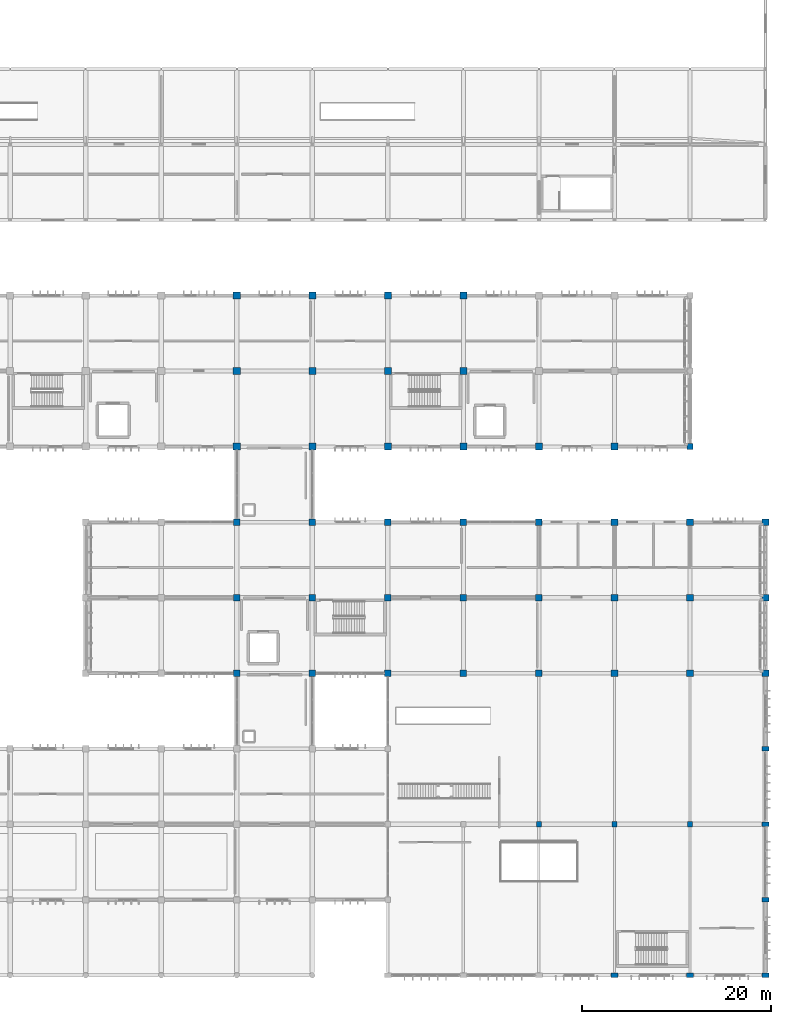
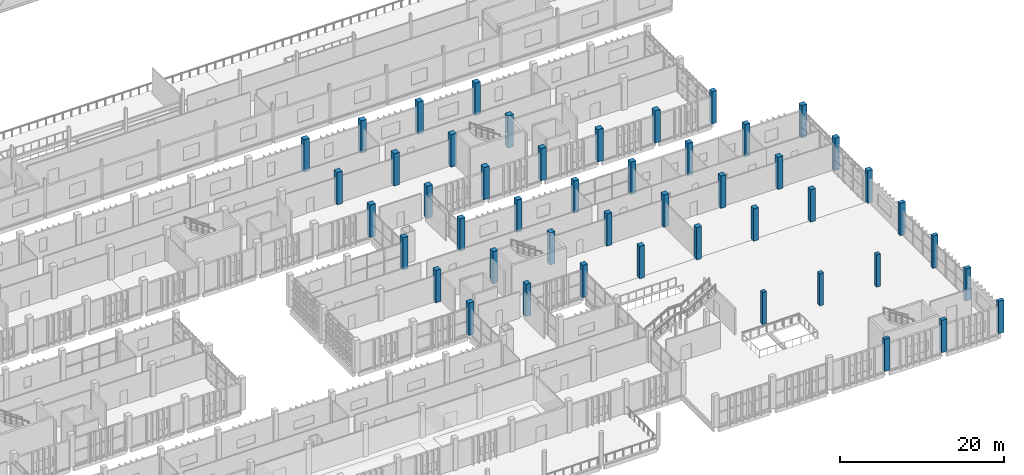
# One storey, part 13 of 106: 48 columns.
"""IFC4 building model written with IfcOpenShell, lengths in metres."""

from ifc_helpers import new_model, si_unit, direction, frame, origin, origin_2d, place, context, subcontext, project, spatial, rectangle, extrude, material, material_profile, profile_set, type_object, element, save


model = new_model("IFC4")

# Units and contexts
model_context = context("Model", 3, precision=1e-05, world=origin(), true_north=direction((0.0, 1.0)))
body_context = subcontext(model_context, "Body", "Model", "MODEL_VIEW")
ifc_project = project(units=[si_unit("LENGTHUNIT", "METRE"), si_unit("AREAUNIT", "SQUARE_METRE"), si_unit("VOLUMEUNIT", "CUBIC_METRE"), si_unit("PLANEANGLEUNIT", "RADIAN"), si_unit("MASSUNIT", "GRAM", prefix="KILO")], contexts=[model_context])

# Site, building, storey
site_placement = place(None, origin())
site = spatial("IfcSite", under=ifc_project, at=site_placement, CompositionType="ELEMENT")
building_placement = place(site_placement, origin())
building = spatial("IfcBuilding", under=site, at=building_placement, Name="Jelvoka-Kovrelna Polytechnic", CompositionType="ELEMENT")
storey_placement = place(building_placement, frame((0.0, 0.0, 4.800048828125)))
storey = spatial("IfcBuildingStorey", under=building, at=storey_placement, Name="L02", CompositionType="ELEMENT", Elevation=4.800048828125)

# Columns
ifc_material_1 = material(Name="Concrete C40/50", Category="concrete")
ifc_material_profile_1 = material_profile(ifc_material_1, rectangle(XDim=0.5, YDim=0.75, at=origin_2d()), Name="RC 500x750")
ifc_profile_set_1 = profile_set([ifc_material_profile_1], Name="Concrete C40/50")
column_type_1 = type_object("IfcColumnType", Name="Col_RC_500x750", PredefinedType="COLUMN", material=ifc_profile_set_1)
for number, where, z_axis, x_axis, name in (
    (1, (184.0, 0.0, 0.0), (0.0, 0.0, 1.0), (0.0, 1.0, 0.0), "L02 column 0074"),
    (2, (192.0, 0.0, 0.0), (0.0, 0.0, 1.0), (0.0, 1.0, 0.0), "L02 column 0078"),
    (3, (200.0, 0.0, 0.0), (0.0, 0.0, 1.0), (0.0, 1.0, 0.0), "L02 column 0082"),
    (4, (200.0, 8.0, 0.0), (0.0, 0.0, 1.0), (0.0, 1.0, 0.0), "L02 column 0180"),
    (5, (200.0, 16.0, 0.0), (0.0, 0.0, 1.0), (0.0, 1.0, 0.0), "L02 column 0293"),
    (6, (200.0, 24.0, 0.0), (0.0, 0.0, 1.0), (0.0, 1.0, 0.0), "L02 column 0406"),
):
    element("IfcColumn", number, at=place(storey_placement, frame(where, z_axis=z_axis, x_axis=x_axis)), inside=storey, type_object=column_type_1, Name=name, PredefinedType="COLUMN", context=body_context, shape_type="SweptSolid", body=[
        extrude(rectangle(XDim=0.5, YDim=0.75, at=origin_2d()), origin(), (0.0, 0.0, 1.0), 4.800048828125),
    ])
ifc_material_2 = material(Name="Concrete C40/50", Category="concrete")
ifc_material_profile_2 = material_profile(ifc_material_2, rectangle(XDim=0.550048828125, YDim=0.550048828125, at=origin_2d()), Name="RC 550x550")
ifc_profile_set_2 = profile_set([ifc_material_profile_2], Name="Concrete C40/50")
column_type_2 = type_object("IfcColumnType", Name="Col_RC_550", PredefinedType="COLUMN", material=ifc_profile_set_2)
for number, where, z_axis, x_axis, name in (
    (7, (176.0, 16.0, 0.0), (0.0, 0.0, 1.0), (1.0, 0.0, 0.0), "L02 column 0281"),
    (8, (184.0, 16.0, 0.0), (0.0, 0.0, 1.0), (1.0, 0.0, 0.0), "L02 column 0285"),
    (9, (192.0, 16.0, 0.0), (0.0, 0.0, 1.0), (1.0, 0.0, 0.0), "L02 column 0289"),
):
    element("IfcColumn", number, at=place(storey_placement, frame(where, z_axis=z_axis, x_axis=x_axis)), inside=storey, type_object=column_type_2, Name=name, PredefinedType="COLUMN", context=body_context, shape_type="SweptSolid", body=[
        extrude(rectangle(XDim=0.550048828125, YDim=0.550048828125, at=origin_2d()), origin(), (0.0, 0.0, 1.0), 4.800048828125),
    ])
ifc_material_3 = material(Name="Concrete C40/50", Category="concrete")
ifc_material_profile_3 = material_profile(ifc_material_3, rectangle(XDim=0.64990234375, YDim=0.64990234375, at=origin_2d()), Name="RC 650x650")
ifc_profile_set_3 = profile_set([ifc_material_profile_3], Name="Concrete C40/50")
column_type_3 = type_object("IfcColumnType", Name="Col_RC_650", PredefinedType="COLUMN", material=ifc_profile_set_3)
column_placement = place(storey_placement, frame((192.0, 56.0, 0.0), z_axis=(0.0, 0.0, 1.0), x_axis=(1.0, 0.0, 0.0)))
element("IfcColumn", 10, at=column_placement, inside=storey, type_object=column_type_3, Name="L02 column 1129", PredefinedType="COLUMN", context=body_context, shape_type="SweptSolid", body=[
    extrude(rectangle(XDim=0.64990234375, YDim=0.64990234375, at=origin_2d()), origin(), (0.0, 0.0, 1.0), 4.800048828125),
])
ifc_material_4 = material(Name="Concrete C40/50", Category="concrete")
ifc_material_profile_4 = material_profile(ifc_material_4, rectangle(XDim=0.699951171875, YDim=0.699951171875, at=origin_2d()), Name="RC 700x700")
ifc_profile_set_4 = profile_set([ifc_material_profile_4], Name="Concrete C40/50")
column_type_4 = type_object("IfcColumnType", Name="Col_RC_700", PredefinedType="COLUMN", material=ifc_profile_set_4)
for number, where, z_axis, x_axis, name in (
    (11, (144.0, 32.0, 0.0), (0.0, 0.0, 1.0), (1.0, 0.0, 0.0), "L02 column 0512"),
    (12, (152.0, 32.0, 0.0), (0.0, 0.0, 1.0), (1.0, 0.0, 0.0), "L02 column 0520"),
    (13, (160.0, 32.0, 0.0), (0.0, 0.0, 1.0), (1.0, 0.0, 0.0), "L02 column 0528"),
    (14, (168.0, 32.0, 0.0), (0.0, 0.0, 1.0), (1.0, 0.0, 0.0), "L02 column 0536"),
    (15, (176.0, 32.0, 0.0), (0.0, 0.0, 1.0), (1.0, 0.0, 0.0), "L02 column 0544"),
    (16, (184.0, 32.0, 0.0), (0.0, 0.0, 1.0), (1.0, 0.0, 0.0), "L02 column 0552"),
    (17, (192.0, 32.0, 0.0), (0.0, 0.0, 1.0), (1.0, 0.0, 0.0), "L02 column 0560"),
    (18, (200.0, 32.0, 0.0), (0.0, 0.0, 1.0), (1.0, 0.0, 0.0), "L02 column 0567"),
    (19, (144.0, 40.0, 0.0), (0.0, 0.0, 1.0), (1.0, 0.0, 0.0), "L02 column 0694"),
    (20, (152.0, 40.0, 0.0), (0.0, 0.0, 1.0), (1.0, 0.0, 0.0), "L02 column 0702"),
    (21, (160.0, 40.0, 0.0), (0.0, 0.0, 1.0), (1.0, 0.0, 0.0), "L02 column 0710"),
    (22, (168.0, 40.0, 0.0), (0.0, 0.0, 1.0), (1.0, 0.0, 0.0), "L02 column 0718"),
    (23, (176.0, 40.0, 0.0), (0.0, 0.0, 1.0), (1.0, 0.0, 0.0), "L02 column 0726"),
    (24, (184.0, 40.0, 0.0), (0.0, 0.0, 1.0), (1.0, 0.0, 0.0), "L02 column 0734"),
    (25, (192.0, 40.0, 0.0), (0.0, 0.0, 1.0), (1.0, 0.0, 0.0), "L02 column 0742"),
    (26, (200.0, 40.0, 0.0), (0.0, 0.0, 1.0), (1.0, 0.0, 0.0), "L02 column 0749"),
    (27, (144.0, 48.0, 0.0), (0.0, 0.0, 1.0), (1.0, 0.0, 0.0), "L02 column 0858"),
    (28, (152.0, 48.0, 0.0), (0.0, 0.0, 1.0), (1.0, 0.0, 0.0), "L02 column 0866"),
    (29, (160.0, 48.0, 0.0), (0.0, 0.0, 1.0), (1.0, 0.0, 0.0), "L02 column 0874"),
    (30, (168.0, 48.0, 0.0), (0.0, 0.0, 1.0), (1.0, 0.0, 0.0), "L02 column 0882"),
    (31, (176.0, 48.0, 0.0), (0.0, 0.0, 1.0), (1.0, 0.0, 0.0), "L02 column 0890"),
    (32, (184.0, 48.0, 0.0), (0.0, 0.0, 1.0), (1.0, 0.0, 0.0), "L02 column 0898"),
    (33, (192.0, 48.0, 0.0), (0.0, 0.0, 1.0), (1.0, 0.0, 0.0), "L02 column 0906"),
    (34, (200.0, 48.0, 0.0), (0.0, 0.0, 1.0), (1.0, 0.0, 0.0), "L02 column 0913"),
):
    element("IfcColumn", number, at=place(storey_placement, frame(where, z_axis=z_axis, x_axis=x_axis)), inside=storey, type_object=column_type_4, Name=name, PredefinedType="COLUMN", context=body_context, shape_type="SweptSolid", body=[
        extrude(rectangle(XDim=0.699951171875, YDim=0.699951171875, at=origin_2d()), origin(), (0.0, 0.0, 1.0), 4.800048828125),
    ])
ifc_material_5 = material(Name="Concrete C40/50", Category="concrete")
ifc_material_profile_5 = material_profile(ifc_material_5, rectangle(XDim=0.75, YDim=0.75, at=origin_2d()), Name="RC 750x750")
ifc_profile_set_5 = profile_set([ifc_material_profile_5], Name="Concrete C40/50")
column_type_5 = type_object("IfcColumnType", Name="Col_RC_750", PredefinedType="COLUMN", material=ifc_profile_set_5)
for number, where, z_axis, x_axis, name in (
    (35, (144.0, 56.0, 0.0), (0.0, 0.0, 1.0), (1.0, 0.0, 0.0), "L02 column 1075"),
    (36, (152.0, 56.0, 0.0), (0.0, 0.0, 1.0), (1.0, 0.0, 0.0), "L02 column 1084"),
    (37, (160.0, 56.0, 0.0), (0.0, 0.0, 1.0), (1.0, 0.0, 0.0), "L02 column 1093"),
    (38, (168.0, 56.0, 0.0), (0.0, 0.0, 1.0), (1.0, 0.0, 0.0), "L02 column 1102"),
    (39, (176.0, 56.0, 0.0), (0.0, 0.0, 1.0), (1.0, 0.0, 0.0), "L02 column 1111"),
    (40, (184.0, 56.0, 0.0), (0.0, 0.0, 1.0), (1.0, 0.0, 0.0), "L02 column 1120"),
    (41, (144.0, 64.0, 0.0), (0.0, 0.0, 1.0), (1.0, 0.0, 0.0), "L02 column 1242"),
    (42, (152.0, 64.0, 0.0), (0.0, 0.0, 1.0), (1.0, 0.0, 0.0), "L02 column 1251"),
    (43, (160.0, 64.0, 0.0), (0.0, 0.0, 1.0), (1.0, 0.0, 0.0), "L02 column 1260"),
    (44, (168.0, 64.0, 0.0), (0.0, 0.0, 1.0), (1.0, 0.0, 0.0), "L02 column 1269"),
    (45, (144.0, 72.0, 0.0), (0.0, 0.0, 1.0), (1.0, 0.0, 0.0), "L02 column 1403"),
    (46, (152.0, 72.0, 0.0), (0.0, 0.0, 1.0), (1.0, 0.0, 0.0), "L02 column 1412"),
    (47, (160.0, 72.0, 0.0), (0.0, 0.0, 1.0), (1.0, 0.0, 0.0), "L02 column 1421"),
    (48, (168.0, 72.0, 0.0), (0.0, 0.0, 1.0), (1.0, 0.0, 0.0), "L02 column 1430"),
):
    element("IfcColumn", number, at=place(storey_placement, frame(where, z_axis=z_axis, x_axis=x_axis)), inside=storey, type_object=column_type_5, Name=name, PredefinedType="COLUMN", context=body_context, shape_type="SweptSolid", body=[
        extrude(rectangle(XDim=0.75, YDim=0.75, at=origin_2d()), origin(), (0.0, 0.0, 1.0), 4.800048828125),
    ])

save(model, "model.ifc")
